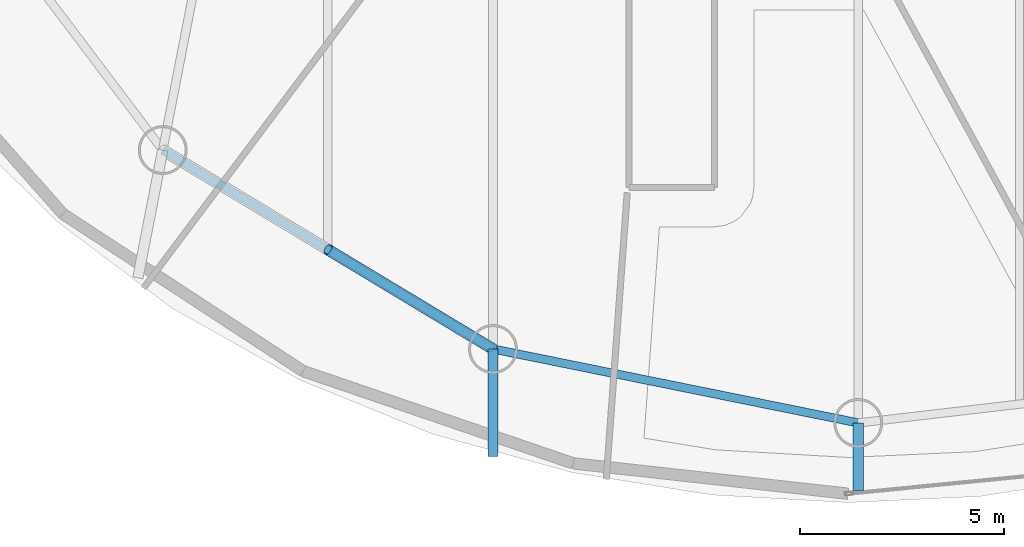
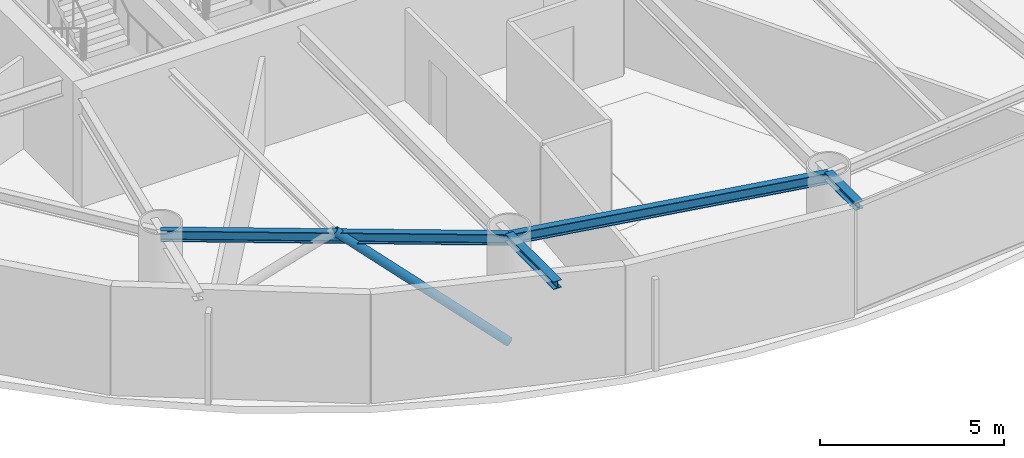
# One storey, part 3 of 23: 4 beams, 1 member.
"""IFC4 building model written with IfcOpenShell, lengths in metres."""

from ifc_helpers import new_model, si_unit, direction, frame, origin, origin_2d, place, context, subcontext, project, spatial, hollow_circle, i_section, extrude, material, material_profile, profile_set, type_object, element, save


model = new_model("IFC4")

# Units and contexts
model_context = context("Model", 3, precision=1e-05, world=origin(), true_north=direction((0.0, 1.0)))
body_context = subcontext(model_context, "Body", "Model", "MODEL_VIEW")
ifc_project = project(units=[si_unit("LENGTHUNIT", "METRE"), si_unit("AREAUNIT", "SQUARE_METRE"), si_unit("VOLUMEUNIT", "CUBIC_METRE"), si_unit("PLANEANGLEUNIT", "RADIAN"), si_unit("MASSUNIT", "GRAM", prefix="KILO")], contexts=[model_context])

# Site, building, storey
site_placement = place(None, origin())
site = spatial("IfcSite", under=ifc_project, at=site_placement, CompositionType="ELEMENT")
building_placement = place(site_placement, origin())
building = spatial("IfcBuilding", under=site, at=building_placement, Name="Bramvorn Convention Spire", CompositionType="ELEMENT")
storey_placement = place(building_placement, frame((0.0, 0.0, 194.300048828125)))
storey = spatial("IfcBuildingStorey", under=building, at=storey_placement, Name="L49", CompositionType="ELEMENT", Elevation=194.300048828125)

# Beams
ifc_material = material(Name="Steel CSA G40.21 Grade 350 (350W)", Category="steel")
ifc_material_profile_1 = material_profile(ifc_material, i_section(OverallWidth=0.25390625, OverallDepth=0.2529296875, WebThickness=0.008544921875, FlangeThickness=0.01416015625, FilletRadius=0.011962890625, at=origin_2d()))
ifc_profile_set_1 = profile_set([ifc_material_profile_1], Name="Steel CSA G40.21 Grade 350 (350W) - W250X73")
beam_type_1 = type_object("IfcBeamType", Name="BM-W250X73", PredefinedType="BEAM", material=ifc_profile_set_1)
beam_1_placement = place(storey_placement, frame((33.61083984375, 7.227783203125, 3.493408203125), z_axis=(0.0, -1.0, 0.0), x_axis=(1.0, 0.0, 0.0)))
element("IfcBeam", 1, at=beam_1_placement, inside=storey, type_object=beam_type_1, Name="L49 slab-edge cantilever tip beam MC14", PredefinedType="BEAM", context=body_context, shape_type="SweptSolid", body=[
    extrude(i_section(OverallWidth=0.25390625, OverallDepth=0.2529296875, WebThickness=0.008544921875, FlangeThickness=0.01416015625, FilletRadius=0.011962890625, at=origin_2d()), origin(), (0.0, 0.0, 1.0), 2.63671875),
])
beam_2_placement = place(storey_placement, frame((42.583740234375, 5.41162109375, 3.493408203125), z_axis=(0.0, -1.0, 0.0), x_axis=(1.0, 0.0, 0.0)))
element("IfcBeam", 2, at=beam_2_placement, inside=storey, type_object=beam_type_1, Name="L49 slab-edge cantilever tip beam MC15", PredefinedType="BEAM", context=body_context, shape_type="SweptSolid", body=[
    extrude(i_section(OverallWidth=0.25390625, OverallDepth=0.2529296875, WebThickness=0.008544921875, FlangeThickness=0.01416015625, FilletRadius=0.011962890625, at=origin_2d()), origin(), (0.0, 0.0, 1.0), 1.67724609375),
])
ifc_material_profile_2 = material_profile(ifc_material, i_section(OverallWidth=0.205078125, OverallDepth=0.35400390625, WebThickness=0.009521484375, FlangeThickness=0.016845703125, FilletRadius=0.014892578125, at=origin_2d()))
ifc_profile_set_2 = profile_set([ifc_material_profile_2], Name="Steel CSA G40.21 Grade 350 (350W) - W360X79")
beam_type_2 = type_object("IfcBeamType", Name="BM-W360X79", PredefinedType="JOIST", material=ifc_profile_set_2)
beam_3_placement = place(storey_placement, frame((25.498046875, 12.114990234375, 3.44287109375), z_axis=(0.856581795745, -0.516011266543, 0.0), x_axis=(0.516011266543, 0.856581795745, 0.0)))
element("IfcBeam", 3, at=beam_3_placement, inside=storey, type_object=beam_type_2, Name="L49 mega-column ring beam 13", PredefinedType="JOIST", context=body_context, shape_type="SweptSolid", body=[
    extrude(i_section(OverallWidth=0.205078125, OverallDepth=0.35400390625, WebThickness=0.009521484375, FlangeThickness=0.016845703125, FilletRadius=0.014892578125, at=origin_2d()), origin(), (0.0, 0.0, 1.0), 9.47119140625),
])
beam_4_placement = place(storey_placement, frame((33.61083984375, 7.227783203125, 3.44287109375), z_axis=(0.980124701676, -0.198382381187, 0.0), x_axis=(0.198382381187, 0.980124701676, 0.0)))
element("IfcBeam", 4, at=beam_4_placement, inside=storey, type_object=beam_type_2, Name="L49 mega-column ring beam 14", PredefinedType="JOIST", context=body_context, shape_type="SweptSolid", body=[
    extrude(i_section(OverallWidth=0.205078125, OverallDepth=0.35400390625, WebThickness=0.009521484375, FlangeThickness=0.016845703125, FilletRadius=0.014892578125, at=origin_2d()), origin(), (0.0, 0.0, 1.0), 9.15478515625),
])

# Member
ifc_material_profile_3 = material_profile(ifc_material, hollow_circle(Radius=0.136474609375, WallThickness=0.0126953125, at=origin_2d()))
ifc_profile_set_3 = profile_set([ifc_material_profile_3], Name="Steel CSA G40.21 Grade 350 (350W) - CHS273X13")
member_type = type_object("IfcMemberType", Name="MBR-CHS273X13", PredefinedType="BRACE", material=ifc_profile_set_3)
member_placement = place(storey_placement, frame((33.61083984375, 7.227783203125, 0.0), z_axis=(-0.680532253799, 0.409957708593, 0.607297726577), x_axis=(-0.516011266543, -0.856581795745, 0.0)))
element("IfcMember", 5, at=member_placement, inside=storey, type_object=member_type, Name="L49 perimeter Gothic lancet brace 13B", PredefinedType="BRACE", context=body_context, shape_type="SweptSolid", body=[
    extrude(hollow_circle(Radius=0.136474609375, WallThickness=0.0126953125, at=origin_2d()), origin(), (0.0, 0.0, 1.0), 5.960693359375),
])

save(model, "model.ifc")
